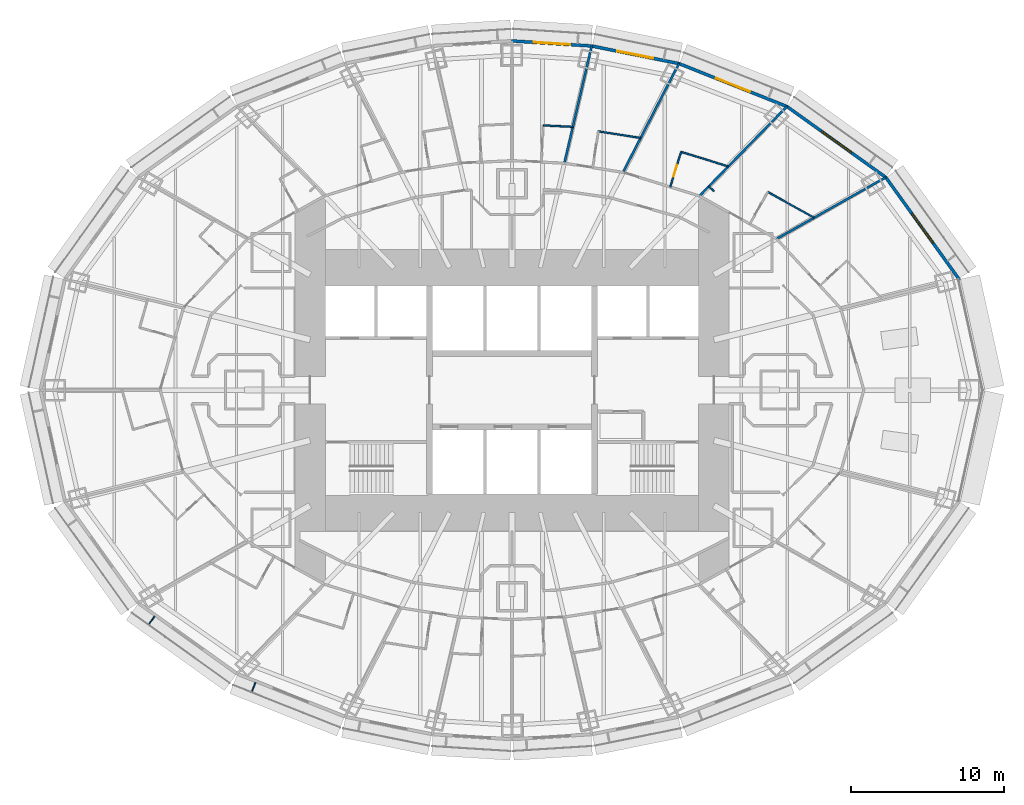
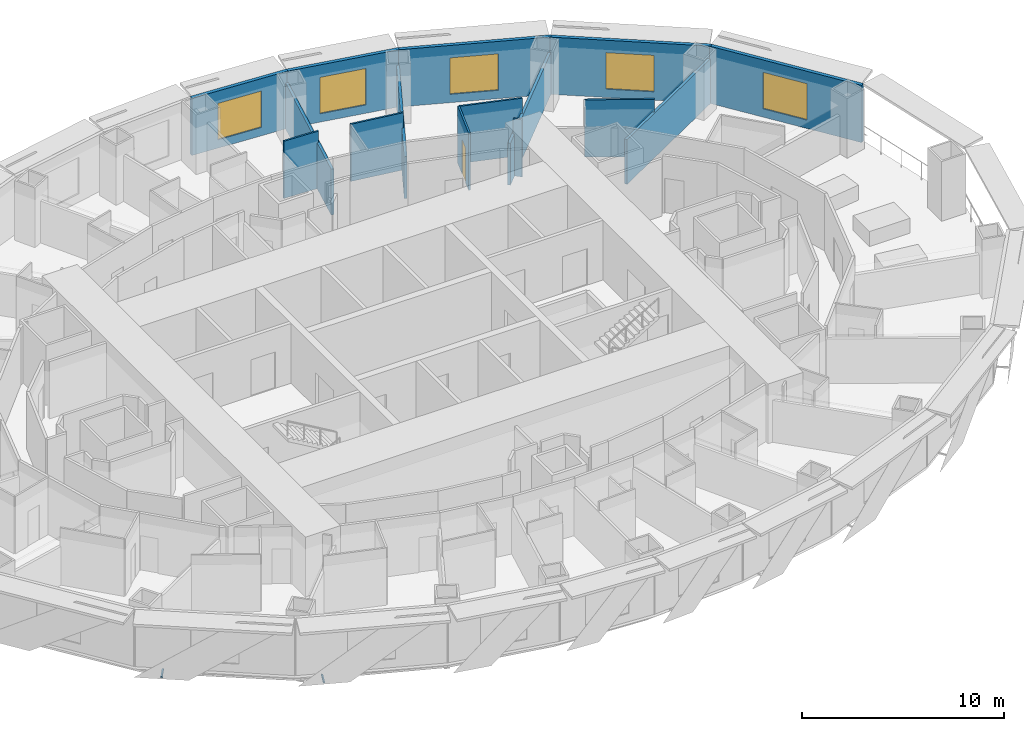
# One storey, part 11 of 17: 15 walls, 5 windows, 2 discrete accessories, 1 door, 6 openings.
"""IFC4 building model written with IfcOpenShell, lengths in metres."""

from ifc_helpers import new_model, si_unit, direction, frame, frame_2d, origin, origin_2d, place, context, subcontext, project, spatial, rectangle, extrude, material, layer, layer_set, type_object, element, fill, save


model = new_model("IFC4")

# Units and contexts
model_context = context("Model", 3, precision=1e-05, world=origin(), true_north=direction((0.0, 1.0)))
body_context = subcontext(model_context, "Body", "Model", "MODEL_VIEW")
ifc_project = project(units=[si_unit("LENGTHUNIT", "METRE"), si_unit("AREAUNIT", "SQUARE_METRE"), si_unit("VOLUMEUNIT", "CUBIC_METRE"), si_unit("PLANEANGLEUNIT", "RADIAN"), si_unit("MASSUNIT", "GRAM", prefix="KILO")], contexts=[model_context])

# Site, building, storey
site_placement = place(None, origin())
site = spatial("IfcSite", under=ifc_project, at=site_placement, CompositionType="ELEMENT")
building_placement = place(site_placement, origin())
building = spatial("IfcBuilding", under=site, at=building_placement, Name="Lantaw Convention Tower", CompositionType="ELEMENT")
storey_placement = place(building_placement, frame((0.0, 0.0, 69.39990234375)))
storey = spatial("IfcBuildingStorey", under=building, at=storey_placement, Name="L15", CompositionType="ELEMENT", Elevation=69.39990234375)

# Wall
ifc_material_1 = material(Name="Moisture resistant gypsum board on steel studs", Category="steel")
ifc_layer_1 = layer(ifc_material_1, 0.10009765625)
ifc_layer_set_1 = layer_set([ifc_layer_1], Name="Bathroom wall 100")
wall_type_1 = type_object("IfcWallType", Name="Bathroom wall 100", PredefinedType="PARTITIONING", material=ifc_layer_set_1)
wall_1_placement = place(storey_placement, frame((16.71923828125, 12.955078125, 0.0), z_axis=(0.0, 0.0, 1.0), x_axis=(0.873676251648, -0.486507766953, 0.0)))
element("IfcWall", 1, at=wall_1_placement, inside=storey, type_object=wall_type_1, Name="Bathroom wall 100", PredefinedType="PARTITIONING", context=body_context, shape_type="SweptSolid", body=[
    extrude(rectangle(XDim=3.450439453125, YDim=0.10009765625, at=frame_2d((1.72509765625, 0.0))), origin(), (0.0, 0.0, 1.0), 3.4501953125),
])

# Wall, opening, door
wall_2_placement = place(storey_placement, frame((10.345703125, 13.281494140625, 0.0), z_axis=(0.0, 0.0, 1.0), x_axis=(0.294478957423, 0.955657963727, 0.0)))
wall_2 = element("IfcWall", 2, at=wall_2_placement, inside=storey, type_object=wall_type_1, Name="Bathroom wall 100", PredefinedType="PARTITIONING", context=body_context, shape_type="SweptSolid", body=[
    extrude(rectangle(XDim=2.400146484375, YDim=0.10009765625, at=frame_2d((1.2001953125, 0.0))), origin(), (0.0, 0.0, 1.0), 3.4501953125),
])
opening_1_placement = place(wall_2_placement, frame((0.699951171875, 0.0, 0.0)))
opening_1 = element("IfcOpeningElement", 3, at=opening_1_placement, cuts=wall_2, Name="Opening L15.29", PredefinedType="OPENING", context=body_context, shape_type="SweptSolid", body=[
    extrude(rectangle(XDim=0.800048828125, YDim=2.10009765625, at=frame_2d((0.39990234375, 1.050048828125))), frame((0.0, 0.06005859375, 0.0), z_axis=(0.0, -1.0, 0.0), x_axis=(1.0, 0.0, 0.0)), (0.0, 0.0, 1.0), 0.1201171875),
])
ifc_material_2 = material(Name="Timber", Category="wood")
door_type = type_object("IfcDoorType", Name="Bathroom door 800", OperationType="SINGLE_SWING_LEFT", PredefinedType="DOOR", material=ifc_material_2)
door_placement = place(opening_1_placement, origin())
door = element("IfcDoor", 4, at=door_placement, inside=storey, type_object=door_type, Name="Bathroom door", OperationType="SINGLE_SWING_LEFT", OverallHeight=2.10009765625, OverallWidth=0.800048828125, PredefinedType="DOOR", context=body_context, shape_type="SweptSolid", body=[
    extrude(rectangle(XDim=0.800048828125, YDim=2.10009765625, at=frame_2d((0.39990234375, 1.050048828125))), frame((0.0, 0.02490234375, 0.0), z_axis=(0.0, -1.0, 0.0), x_axis=(1.0, 0.0, 0.0)), (0.0, 0.0, 1.0), 0.050048828125),
])
fill(opening_1, door)

# Walls
wall_3_placement = place(storey_placement, frame((11.052490234375, 15.5751953125, 0.0), z_axis=(0.0, 0.0, 1.0), x_axis=(0.955641033268, -0.294533895391, 0.0)))
element("IfcWall", 5, at=wall_3_placement, inside=storey, type_object=wall_type_1, Name="Bathroom wall 100", PredefinedType="PARTITIONING", context=body_context, shape_type="SweptSolid", body=[
    extrude(rectangle(XDim=3.216064453125, YDim=0.10009765625, at=frame_2d((1.60791015625, 0.0))), origin(), (0.0, 0.0, 1.0), 3.4501953125),
])
wall_4_placement = place(storey_placement, frame((5.6474609375, 16.91455078125, 0.0), z_axis=(0.0, 0.0, 1.0), x_axis=(0.988015375833, -0.154355489429, 0.0)))
element("IfcWall", 6, at=wall_4_placement, inside=storey, type_object=wall_type_1, Name="Bathroom wall 100", PredefinedType="PARTITIONING", context=body_context, shape_type="SweptSolid", body=[
    extrude(rectangle(XDim=2.785400390625, YDim=0.10009765625, at=frame_2d((1.392578125, 0.0))), origin(), (0.0, 0.0, 1.0), 3.4501953125),
])
wall_5_placement = place(storey_placement, frame((2.043212890625, 17.30322265625, 0.0), z_axis=(0.0, 0.0, 1.0), x_axis=(0.998809649749, -0.048777900405, 0.0)))
element("IfcWall", 7, at=wall_5_placement, inside=storey, type_object=wall_type_1, Name="Bathroom wall 100", PredefinedType="PARTITIONING", context=body_context, shape_type="SweptSolid", body=[
    extrude(rectangle(XDim=1.931884765625, YDim=0.10009765625, at=frame_2d((0.9658203125, 0.0))), origin(), (0.0, 0.0, 1.0), 3.4501953125),
])

# Wall, opening, window
ifc_material_3 = material(Name="Insulated aluminium panel on steel frame", Category="steel")
ifc_layer_2 = layer(ifc_material_3, 0.199951171875)
ifc_layer_set_2 = layer_set([ifc_layer_2], Name="External wall 200")
wall_type_2 = type_object("IfcWallType", Name="External wall 200", PredefinedType="SOLIDWALL", material=ifc_layer_set_2)
wall_6_placement = place(storey_placement, frame((29.260498046875, 7.199951171875, 0.0), z_axis=(0.0, 0.0, 1.0), x_axis=(-0.583937613703, 0.811798536155, 0.0)))
wall_6 = element("IfcWall", 8, at=wall_6_placement, inside=storey, type_object=wall_type_2, Name="Facade panel wall", PredefinedType="SOLIDWALL", context=body_context, shape_type="SweptSolid", body=[
    extrude(rectangle(XDim=8.322998046875, YDim=0.199951171875, at=frame_2d((4.16162109375, 0.0))), origin(), (0.0, 0.0, 1.0), 3.4501953125),
])
opening_2_placement = place(wall_6_placement, frame((2.96142578125, 0.0, 0.5)))
opening_2 = element("IfcOpeningElement", 9, at=opening_2_placement, cuts=wall_6, Name="Opening W1", PredefinedType="OPENING", context=body_context, shape_type="SweptSolid", body=[
    extrude(rectangle(XDim=2.39990234375, YDim=2.199951171875, at=frame_2d((1.199951171875, 1.10009765625))), frame((0.0, 0.10986328125, 0.0), z_axis=(0.0, -1.0, 0.0), x_axis=(1.0, 0.0, 0.0)), (0.0, 0.0, 1.0), 0.219970703125),
])
ifc_material_4 = material(Name="Aluminium frame, clear insulating glass", Category="aluminium")
window_type = type_object("IfcWindowType", Name="Guest room window 2400x2200", PartitioningType="SINGLE_PANEL", PredefinedType="WINDOW", material=ifc_material_4)
window_1_placement = place(opening_2_placement, origin())
window_1 = element("IfcWindow", 10, at=window_1_placement, inside=storey, type_object=window_type, Name="Guest room window", OverallHeight=2.199951171875, OverallWidth=2.39990234375, PartitioningType="SINGLE_PANEL", PredefinedType="WINDOW", context=body_context, shape_type="SweptSolid", body=[
    extrude(rectangle(XDim=2.39990234375, YDim=2.199951171875, at=frame_2d((1.199951171875, 1.10009765625))), frame((0.0, 0.030029296875, 0.0), z_axis=(0.0, -1.0, 0.0), x_axis=(1.0, 0.0, 0.0)), (0.0, 0.0, 1.0), 0.06005859375),
])
fill(opening_2, window_1)

wall_7_placement = place(storey_placement, frame((24.482421875, 13.87451171875, 0.0), z_axis=(0.0, 0.0, 1.0), x_axis=(-0.812791321576, 0.582554948112, 0.0)))
wall_7 = element("IfcWall", 11, at=wall_7_placement, inside=storey, type_object=wall_type_2, Name="Facade panel wall", PredefinedType="SOLIDWALL", context=body_context, shape_type="SweptSolid", body=[
    extrude(rectangle(XDim=8.063232421875, YDim=0.199951171875, at=frame_2d((4.03173828125, 0.0))), origin(), (0.0, 0.0, 1.0), 3.4501953125),
])
opening_3_placement = place(wall_7_placement, frame((2.83154296875, 0.0, 0.5)))
opening_3 = element("IfcOpeningElement", 12, at=opening_3_placement, cuts=wall_7, Name="Opening W1", PredefinedType="OPENING", context=body_context, shape_type="SweptSolid", body=[
    extrude(rectangle(XDim=2.39990234375, YDim=2.199951171875, at=frame_2d((1.199951171875, 1.10009765625))), frame((0.0, 0.10986328125, 0.0), z_axis=(0.0, -1.0, 0.0), x_axis=(1.0, 0.0, 0.0)), (0.0, 0.0, 1.0), 0.219970703125),
])
window_2_placement = place(opening_3_placement, origin())
window_2 = element("IfcWindow", 13, at=window_2_placement, inside=storey, type_object=window_type, Name="Guest room window", OverallHeight=2.199951171875, OverallWidth=2.39990234375, PartitioningType="SINGLE_PANEL", PredefinedType="WINDOW", context=body_context, shape_type="SweptSolid", body=[
    extrude(rectangle(XDim=2.39990234375, YDim=2.199951171875, at=frame_2d((1.199951171875, 1.10009765625))), frame((0.0, 0.030029296875, 0.0), z_axis=(0.0, -1.0, 0.0), x_axis=(1.0, 0.0, 0.0)), (0.0, 0.0, 1.0), 0.06005859375),
])
fill(opening_3, window_2)

wall_8_placement = place(storey_placement, frame((18.018310546875, 18.522705078125, 0.0), z_axis=(0.0, 0.0, 1.0), x_axis=(-0.929358351251, 0.369178892895, 0.0)))
wall_8 = element("IfcWall", 14, at=wall_8_placement, inside=storey, type_object=wall_type_2, Name="Facade panel wall", PredefinedType="SOLIDWALL", context=body_context, shape_type="SweptSolid", body=[
    extrude(rectangle(XDim=7.6923828125, YDim=0.199951171875, at=frame_2d((3.84619140625, 0.0))), origin(), (0.0, 0.0, 1.0), 3.4501953125),
])
opening_4_placement = place(wall_8_placement, frame((2.64599609375, 0.0, 0.5)))
opening_4 = element("IfcOpeningElement", 15, at=opening_4_placement, cuts=wall_8, Name="Opening W1", PredefinedType="OPENING", context=body_context, shape_type="SweptSolid", body=[
    extrude(rectangle(XDim=2.39990234375, YDim=2.199951171875, at=frame_2d((1.199951171875, 1.10009765625))), frame((0.0, 0.10986328125, 0.0), z_axis=(0.0, -1.0, 0.0), x_axis=(1.0, 0.0, 0.0)), (0.0, 0.0, 1.0), 0.219970703125),
])
window_3_placement = place(opening_4_placement, origin())
window_3 = element("IfcWindow", 16, at=window_3_placement, inside=storey, type_object=window_type, Name="Guest room window", OverallHeight=2.199951171875, OverallWidth=2.39990234375, PartitioningType="SINGLE_PANEL", PredefinedType="WINDOW", context=body_context, shape_type="SweptSolid", body=[
    extrude(rectangle(XDim=2.39990234375, YDim=2.199951171875, at=frame_2d((1.199951171875, 1.10009765625))), frame((0.0, 0.030029296875, 0.0), z_axis=(0.0, -1.0, 0.0), x_axis=(1.0, 0.0, 0.0)), (0.0, 0.0, 1.0), 0.06005859375),
])
fill(opening_4, window_3)

wall_9_placement = place(storey_placement, frame((10.956787109375, 21.336669921875, 0.0), z_axis=(0.0, 0.0, 1.0), x_axis=(-0.980251657452, 0.197754110105, 0.0)))
wall_9 = element("IfcWall", 17, at=wall_9_placement, inside=storey, type_object=wall_type_2, Name="Facade panel wall", PredefinedType="SOLIDWALL", context=body_context, shape_type="SweptSolid", body=[
    extrude(rectangle(XDim=5.90380859375, YDim=0.199951171875, at=frame_2d((2.951904296875, 0.0))), origin(), (0.0, 0.0, 1.0), 3.4501953125),
])
opening_5_placement = place(wall_9_placement, frame((1.751708984375, 0.0, 0.5)))
opening_5 = element("IfcOpeningElement", 18, at=opening_5_placement, cuts=wall_9, Name="Opening W1", PredefinedType="OPENING", context=body_context, shape_type="SweptSolid", body=[
    extrude(rectangle(XDim=2.39990234375, YDim=2.199951171875, at=frame_2d((1.199951171875, 1.10009765625))), frame((0.0, 0.10986328125, 0.0), z_axis=(0.0, -1.0, 0.0), x_axis=(1.0, 0.0, 0.0)), (0.0, 0.0, 1.0), 0.219970703125),
])
window_4_placement = place(opening_5_placement, origin())
window_4 = element("IfcWindow", 19, at=window_4_placement, inside=storey, type_object=window_type, Name="Guest room window", OverallHeight=2.199951171875, OverallWidth=2.39990234375, PartitioningType="SINGLE_PANEL", PredefinedType="WINDOW", context=body_context, shape_type="SweptSolid", body=[
    extrude(rectangle(XDim=2.39990234375, YDim=2.199951171875, at=frame_2d((1.199951171875, 1.10009765625))), frame((0.0, 0.030029296875, 0.0), z_axis=(0.0, -1.0, 0.0), x_axis=(1.0, 0.0, 0.0)), (0.0, 0.0, 1.0), 0.06005859375),
])
fill(opening_5, window_4)

wall_10_placement = place(storey_placement, frame((5.252685546875, 22.493408203125, 0.0), z_axis=(0.0, 0.0, 1.0), x_axis=(-0.998018582375, 0.062919863585, 0.0)))
wall_10 = element("IfcWall", 20, at=wall_10_placement, inside=storey, type_object=wall_type_2, Name="Facade panel wall", PredefinedType="SOLIDWALL", context=body_context, shape_type="SweptSolid", body=[
    extrude(rectangle(XDim=5.30419921875, YDim=0.199951171875, at=frame_2d((2.652099609375, 0.0))), origin(), (0.0, 0.0, 1.0), 3.4501953125),
])
opening_6_placement = place(wall_10_placement, frame((1.4521484375, 0.0, 0.5)))
opening_6 = element("IfcOpeningElement", 21, at=opening_6_placement, cuts=wall_10, Name="Opening W1", PredefinedType="OPENING", context=body_context, shape_type="SweptSolid", body=[
    extrude(rectangle(XDim=2.39990234375, YDim=2.199951171875, at=frame_2d((1.199951171875, 1.10009765625))), frame((0.0, 0.10986328125, 0.0), z_axis=(0.0, -1.0, 0.0), x_axis=(1.0, 0.0, 0.0)), (0.0, 0.0, 1.0), 0.219970703125),
])
window_5_placement = place(opening_6_placement, origin())
window_5 = element("IfcWindow", 22, at=window_5_placement, inside=storey, type_object=window_type, Name="Guest room window", OverallHeight=2.199951171875, OverallWidth=2.39990234375, PartitioningType="SINGLE_PANEL", PredefinedType="WINDOW", context=body_context, shape_type="SweptSolid", body=[
    extrude(rectangle(XDim=2.39990234375, YDim=2.199951171875, at=frame_2d((1.199951171875, 1.10009765625))), frame((0.0, 0.030029296875, 0.0), z_axis=(0.0, -1.0, 0.0), x_axis=(1.0, 0.0, 0.0)), (0.0, 0.0, 1.0), 0.06005859375),
])
fill(opening_6, window_5)

# Walls
ifc_material_5 = material(Name="Gypsum board on steel studs, acoustic", Category="steel")
ifc_layer_3 = layer(ifc_material_5, 0.14990234375)
ifc_layer_set_3 = layer_set([ifc_layer_3], Name="Guest room party wall 150")
wall_type_3 = type_object("IfcWallType", Name="Guest room party wall 150", PredefinedType="PARTITIONING", material=ifc_layer_set_3)
wall_11_placement = place(storey_placement, frame((24.434814453125, 13.90869140625, 0.0), z_axis=(0.0, 0.0, 1.0), x_axis=(-0.871075246657, -0.491149584813, 0.0)))
element("IfcWall", 23, at=wall_11_placement, inside=storey, type_object=wall_type_3, Name="Guest room party wall 150", PredefinedType="PARTITIONING", context=body_context, shape_type="SweptSolid", body=[
    extrude(rectangle(XDim=8.19189453125, YDim=0.14990234375, at=frame_2d((4.095947265625, 0.0))), origin(), (0.0, 0.0, 1.0), 2.693115234375),
])
wall_12_placement = place(storey_placement, frame((17.970458984375, 18.541748046875, 0.0), z_axis=(0.0, 0.0, 1.0), x_axis=(-0.698757291878, -0.715358823981, 0.0)))
element("IfcWall", 24, at=wall_12_placement, inside=storey, type_object=wall_type_3, Name="Guest room party wall 150", PredefinedType="PARTITIONING", context=body_context, shape_type="SweptSolid", body=[
    extrude(rectangle(XDim=8.176513671875, YDim=0.14990234375, at=frame_2d((4.08837890625, 0.0))), origin(), (0.0, 0.0, 1.0), 2.528076171875),
])
wall_13_placement = place(storey_placement, frame((10.911865234375, 21.345703125, 0.0), z_axis=(0.0, 0.0, 1.0), x_axis=(-0.45752665959, -0.889195904042, 0.0)))
element("IfcWall", 25, at=wall_13_placement, inside=storey, type_object=wall_type_3, Name="Guest room party wall 150", PredefinedType="PARTITIONING", context=body_context, shape_type="SweptSolid", body=[
    extrude(rectangle(XDim=7.997314453125, YDim=0.14990234375, at=frame_2d((3.99853515625, 0.0))), origin(), (0.0, 0.0, 1.0), 2.528076171875),
])
wall_14_placement = place(storey_placement, frame((5.2109375, 22.495849609375, 0.0), z_axis=(0.0, 0.0, 1.0), x_axis=(-0.227056984461, -0.973881474209, 0.0)))
element("IfcWall", 26, at=wall_14_placement, inside=storey, type_object=wall_type_3, Name="Guest room party wall 150", PredefinedType="PARTITIONING", context=body_context, shape_type="SweptSolid", body=[
    extrude(rectangle(XDim=7.86865234375, YDim=0.14990234375, at=frame_2d((3.934326171875, 0.0))), origin(), (0.0, 0.0, 1.0), 2.766845703125),
])
ifc_layer_4 = layer(ifc_material_5, 0.10009765625)
ifc_layer_set_4 = layer_set([ifc_layer_4], Name="Office partition 100")
wall_type_4 = type_object("IfcWallType", Name="Office partition 100", PredefinedType="PARTITIONING", material=ifc_layer_set_4)
wall_15_placement = place(storey_placement, frame((13.199951171875, 13.0, 0.0), z_axis=(0.0, 0.0, 1.0), x_axis=(-0.715289751842, 0.698827998087, 0.0)))
element("IfcWall", 27, at=wall_15_placement, inside=storey, type_object=wall_type_4, Name="Office partition 100", PredefinedType="PARTITIONING", context=body_context, shape_type="SweptSolid", body=[
    extrude(rectangle(XDim=0.459716796875, YDim=0.10009765625, at=frame_2d((0.22998046875, 0.0))), origin(), (0.0, 0.0, 1.0), 3.4501953125),
])

# Discrete accessories
for number, where, z_axis, x_axis, name in (
    (28, (-23.564453125, -15.06640625, -0.114990234375), (0.0, 0.0, 1.0), (0.812803733199, -0.5825376308, 0.0), "Screen bracket"),
    (29, (-16.898193359375, -19.4345703125, -0.114990234375), (0.0, 0.0, 1.0), (0.929361152748, -0.369171840425, 0.0), "Screen bracket"),
):
    element("IfcDiscreteAccessory", number, at=place(storey_placement, frame(where, z_axis=z_axis, x_axis=x_axis)), inside=storey, Name=name, PredefinedType="BRACKET", context=body_context, shape_type="SweptSolid", body=[
        extrude(rectangle(XDim=0.080078125, YDim=0.68798828125, at=origin_2d()), origin(), (0.0, 0.0, 1.0), 0.080078125),
    ])

save(model, "model.ifc")
